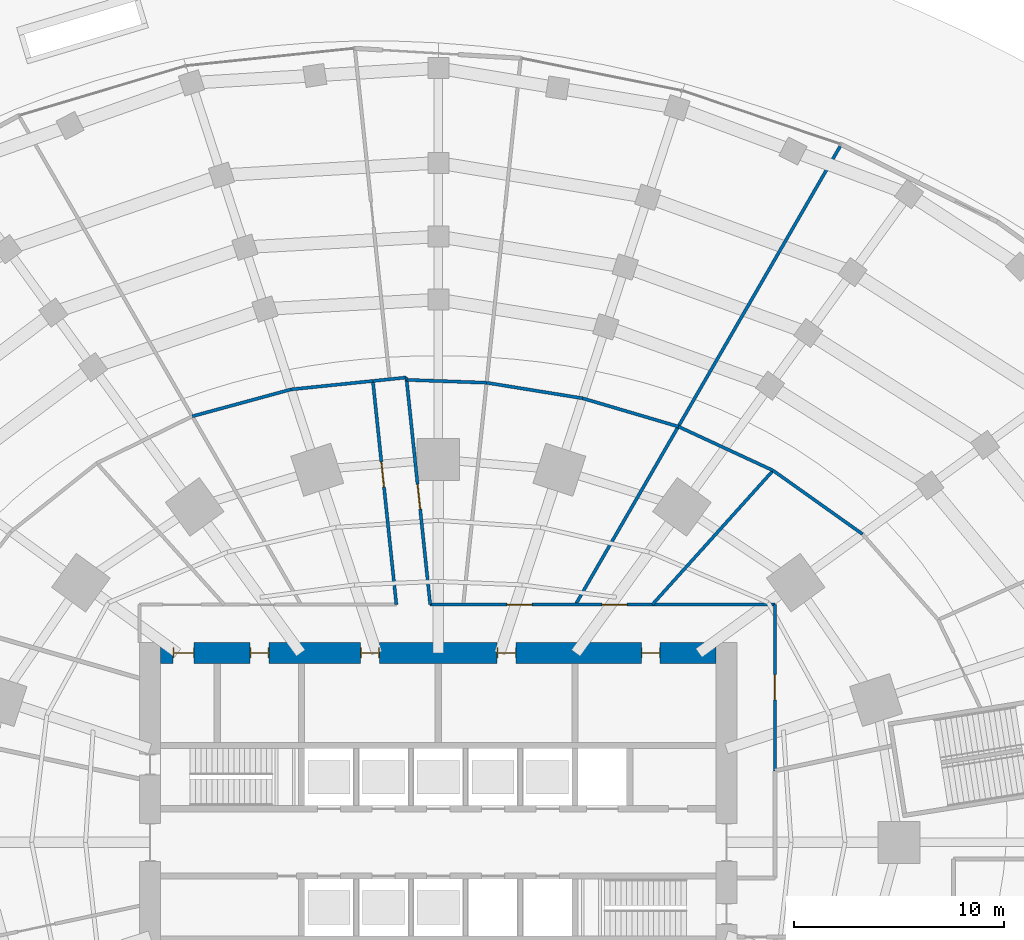
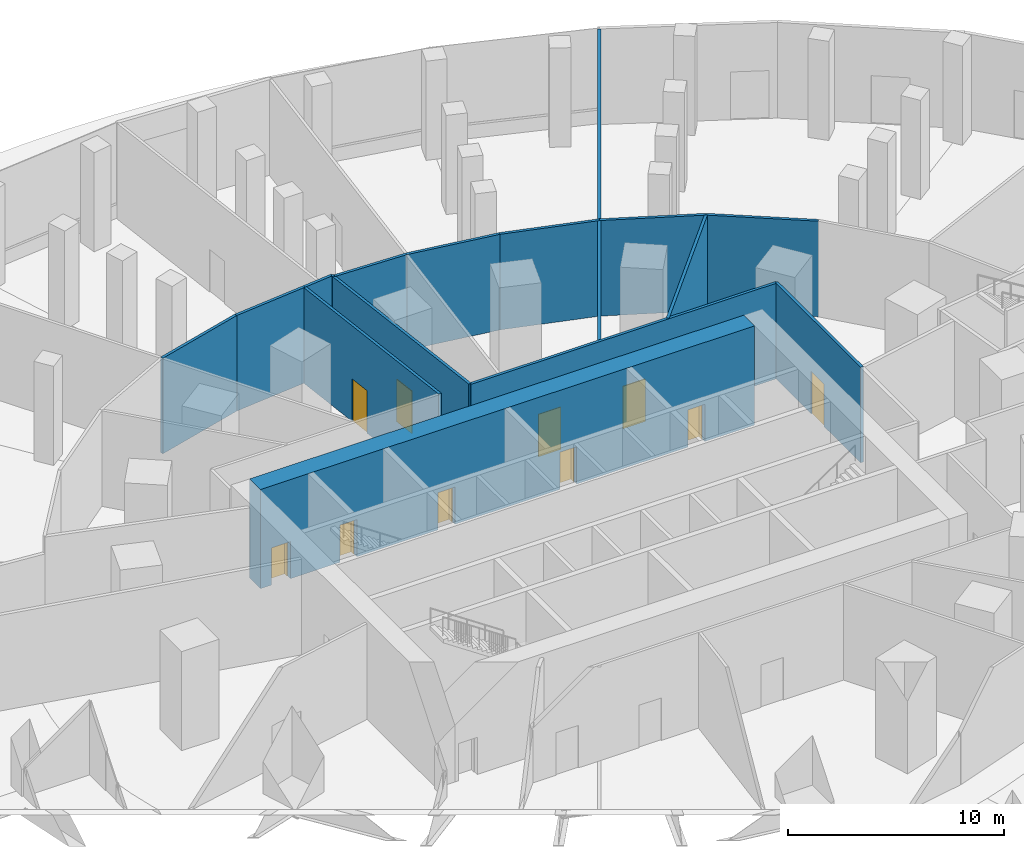
# One storey, part 18 of 23: 16 walls, 10 doors, 10 openings.
"""IFC4 building model written with IfcOpenShell, lengths in metres."""

import ifcopenshell
import ifcopenshell.guid

model = None  # the IFC model being written
_history = None  # IfcOwnerHistory: only IFC2X3 demands one
_inside = {}  # id of a spatial element -> (the spatial element, [elements in it])
_under = {}  # id of a project, library or spatial element -> (it, [spatial elements below it])
_declared = {}  # id of a project -> (the project, [libraries it declares])
_typed = {}  # id of a type object -> (the type object, [elements of that type])
_made_of = {}  # id of a material, layer set ... -> (it, [elements and type objects made of it])


def new_model(schema):
    """Start an empty IFC model of exactly this schema.

    Asked for "IFC4X3", IfcOpenShell would pick the latest addendum, in which some entities
    have other attributes; the version numbers below select the first issue.
    IFC2X3 requires an IfcOwnerHistory on every rooted entity: one is made here for all.
    """
    global model, _history
    if schema == "IFC4X3":
        model = ifcopenshell.file(schema_version=(4, 3, 0, 0))
    else:
        model = ifcopenshell.file(schema=schema)
    _inside.clear()
    _under.clear()
    _declared.clear()
    _typed.clear()
    _made_of.clear()
    _history = None
    if model.schema == "IFC2X3":
        org = make("IfcOrganization", Name="unknown")
        user = make(
            "IfcPersonAndOrganization",
            ThePerson=make("IfcPerson", FamilyName="unknown"),
            TheOrganization=org,
        )
        app = make(
            "IfcApplication",
            ApplicationDeveloper=org,
            Version="unknown",
            ApplicationFullName="unknown",
            ApplicationIdentifier="unknown",
        )
        _history = make(
            "IfcOwnerHistory",
            OwningUser=user,
            OwningApplication=app,
            ChangeAction="ADDED",
            CreationDate=0,
        )
    return model


def make(cls, **values):
    """One entity of the class cls with the attributes given. An attribute that is None is left unset."""
    return model.create_entity(
        cls, **{name: value for name, value in values.items() if value is not None}
    )


def rooted(cls, **values):
    """An entity with a GlobalId (a new one), such as an element, a storey or a relation."""
    return make(cls, GlobalId=ifcopenshell.guid.new(), OwnerHistory=_history, **values)


def si_unit(unit_type, name, prefix=None):
    """IfcSIUnit, for example si_unit("LENGTHUNIT", "METRE", prefix="MILLI")."""
    return make("IfcSIUnit", UnitType=unit_type, Prefix=prefix, Name=name)


def assignment(units):
    """IfcUnitAssignment: the units of a project."""
    return None if units is None else make("IfcUnitAssignment", Units=units)


def point(xyz):
    """IfcCartesianPoint."""
    return None if xyz is None else make("IfcCartesianPoint", Coordinates=xyz)


def direction(xyz):
    """IfcDirection."""
    return None if xyz is None else make("IfcDirection", DirectionRatios=xyz)


def frame(location, z_axis=None, x_axis=None):
    """IfcAxis2Placement3D, a coordinate frame: its origin and axes. An axis left out is left unset."""
    return make(
        "IfcAxis2Placement3D",
        Location=point(location),
        Axis=direction(z_axis),
        RefDirection=direction(x_axis),
    )


def frame_2d(location, x_axis=None):
    """IfcAxis2Placement2D, a coordinate frame in the plane: its origin and x axis."""
    return make(
        "IfcAxis2Placement2D", Location=point(location), RefDirection=direction(x_axis)
    )


def origin():
    """The frame at (0, 0, 0) with its axes left unset."""
    return frame((0.0, 0.0, 0.0))


def place(relative_to, where):
    """IfcLocalPlacement: puts the frame where relative to a parent placement (None: the world)."""
    return make(
        "IfcLocalPlacement", PlacementRelTo=relative_to, RelativePlacement=where
    )


def context(
    kind, dimensions, precision=None, world=None, true_north=None, identifier=None
):
    """IfcGeometricRepresentationContext, for example the 3D "Model" context."""
    return make(
        "IfcGeometricRepresentationContext",
        ContextIdentifier=identifier,
        ContextType=kind,
        CoordinateSpaceDimension=dimensions,
        Precision=precision,
        WorldCoordinateSystem=world,
        TrueNorth=true_north,
    )


def subcontext(parent, identifier, kind, view, scale=None):
    """IfcGeometricRepresentationSubContext, for example "Body" below "Model"."""
    return make(
        "IfcGeometricRepresentationSubContext",
        ContextIdentifier=identifier,
        ContextType=kind,
        ParentContext=parent,
        TargetScale=scale,
        TargetView=view,
    )


def project(units=None, contexts=None):
    """IfcProject with its units and contexts."""
    return rooted(
        "IfcProject",
        Name="project",
        RepresentationContexts=contexts,
        UnitsInContext=assignment(units),
    )


def spatial(cls, under=None, at=None, **own):
    """A site, building, storey or space (cls), placed at a placement, below another one or the project."""
    s = rooted(cls, ObjectPlacement=at, **own)
    if under is not None:
        _under.setdefault(under.id(), (under, []))[1].append(s)
    return s


def profile(cls, at=None, kind="AREA", **sizes):
    """A parametric profile (cls). Its sizes go by their IFC names, for example OverallWidth=200.0."""
    return make(cls, ProfileType=kind, Position=at, **sizes)


def rectangle(**sizes):
    """IfcRectangleProfileDef."""
    return profile("IfcRectangleProfileDef", **sizes)


def extrude(swept, where, along, depth):
    """IfcExtrudedAreaSolid: the profile swept, set in the frame where, extruded along a direction by depth."""
    return make(
        "IfcExtrudedAreaSolid",
        SweptArea=swept,
        Position=where,
        ExtrudedDirection=direction(along),
        Depth=depth,
    )


def shape(context_of_items, identifier, shape_type, items):
    """IfcShapeRepresentation: the items that make up one representation, for example the "Body"."""
    return make(
        "IfcShapeRepresentation",
        ContextOfItems=context_of_items,
        RepresentationIdentifier=identifier,
        RepresentationType=shape_type,
        Items=items,
    )


def material(Name=None, Category=None):
    """IfcMaterial."""
    return make("IfcMaterial", Name=Name, Category=Category)


def layer(
    of_material, thickness, ventilated=None, Name=None, Category=None, Priority=None
):
    """IfcMaterialLayer: one layer of a wall or slab, of a material (None: an air gap)."""
    return make(
        "IfcMaterialLayer",
        Material=of_material,
        LayerThickness=thickness,
        IsVentilated=ventilated,
        Name=Name,
        Category=Category,
        Priority=Priority,
    )


def layer_set(layers, Name=None):
    """IfcMaterialLayerSet."""
    return make("IfcMaterialLayerSet", MaterialLayers=layers, LayerSetName=Name)


def made_of(thing, what):
    """Note that an element or type object is made of a material, layer set ...; save() writes the relation."""
    if what is not None:
        _made_of.setdefault(what.id(), (what, []))[1].append(thing)
    return thing


def type_object(cls, material=None, **own):
    """A type object (cls), such as IfcWallType, which elements share."""
    return made_of(rooted(cls, **own), material)


def element(
    cls,
    number,
    at=None,
    inside=None,
    cuts=None,
    type_object=None,
    material=None,
    context=None,
    identifier="Body",
    shape_type=None,
    held_by="IfcProductDefinitionShape",
    body=None,
    shapes=None,
    **own,
):
    """One element of the class cls, such as IfcWall. Its Tag is "e" and its number.

    at: its placement. inside: the storey or other place that contains it. cuts: it is an
    opening in that element (IfcRelVoidsElement). A single representation is given by context,
    identifier, shape_type and body (its items); several are given by shapes. held_by: the class
    of the entity that holds the representations. save() writes the other relations.
    """
    e = rooted(cls, Tag="e%d" % number, ObjectPlacement=at, **own)
    if body is not None:
        shapes = [shape(context, identifier, shape_type, body)]
    if shapes is not None:
        e.Representation = make(held_by, Representations=shapes)
    if inside is not None:
        _inside.setdefault(inside.id(), (inside, []))[1].append(e)
    if cuts is not None:
        rooted(
            "IfcRelVoidsElement", RelatingBuildingElement=cuts, RelatedOpeningElement=e
        )
    if type_object is not None:
        _typed.setdefault(type_object.id(), (type_object, []))[1].append(e)
    return made_of(e, material)


def fill(opening, filler):
    """IfcRelFillsElement: the door or window that sits in an opening."""
    return rooted(
        "IfcRelFillsElement",
        RelatingOpeningElement=opening,
        RelatedBuildingElement=filler,
    )


def aggregate(whole, parts):
    """IfcRelAggregates: a whole, such as a stair, and the parts it consists of."""
    return rooted("IfcRelAggregates", RelatingObject=whole, RelatedObjects=parts)


def save(model, path):
    """Write the relations noted so far, then the file.

    IfcRelAggregates (storeys below a building ...), IfcRelContainedInSpatialStructure (elements
    in a storey), IfcRelDefinesByType, IfcRelAssociatesMaterial and IfcRelDeclares: one each for
    every whole, place, type object, material and project.
    """
    for whole, parts in _under.values():
        aggregate(whole, parts)
    for where, things in _inside.values():
        rooted(
            "IfcRelContainedInSpatialStructure",
            RelatedElements=things,
            RelatingStructure=where,
        )
    for kind, things in _typed.values():
        rooted("IfcRelDefinesByType", RelatedObjects=things, RelatingType=kind)
    for what, things in _made_of.values():
        rooted("IfcRelAssociatesMaterial", RelatedObjects=things, RelatingMaterial=what)
    for by, libraries in _declared.values():
        rooted("IfcRelDeclares", RelatingContext=by, RelatedDefinitions=libraries)
    model.write(path)


model = new_model("IFC4")

# Units and contexts
model_context = context("Model", 3, precision=1e-05, world=origin(), true_north=direction((0.0, 1.0)))
body_context = subcontext(model_context, "Body", "Model", "MODEL_VIEW")
ifc_project = project(units=[si_unit("LENGTHUNIT", "METRE"), si_unit("AREAUNIT", "SQUARE_METRE"), si_unit("VOLUMEUNIT", "CUBIC_METRE"), si_unit("PLANEANGLEUNIT", "RADIAN"), si_unit("MASSUNIT", "GRAM", prefix="KILO")], contexts=[model_context])

# Site, building, storey
site_placement = place(None, origin())
site = spatial("IfcSite", under=ifc_project, at=site_placement, CompositionType="ELEMENT")
building_placement = place(site_placement, origin())
building = spatial("IfcBuilding", under=site, at=building_placement, Name="Marramba Exchange Tower", CompositionType="ELEMENT")
storey_placement = place(building_placement, origin())
storey = spatial("IfcBuildingStorey", under=building, at=storey_placement, Name="L00", CompositionType="ELEMENT", Elevation=0.0)

# Wall, openings, doors
ifc_material_1 = material(Name="Concrete N50", Category="concrete")
ifc_layer_1 = layer(ifc_material_1, 1.0)
ifc_layer_set_1 = layer_set([ifc_layer_1], Name="Core wall 1000")
wall_type_1 = type_object("IfcWallType", Name="Core wall 1000", PredefinedType="SHEAR", material=ifc_layer_set_1)
wall_1_placement = place(storey_placement, frame((13.199951171875, 9.0, 0.0), z_axis=(0.0, 0.0, 1.0), x_axis=(-1.0, 0.0, 0.0)))
wall_1 = element("IfcWall", 1, at=wall_1_placement, inside=storey, type_object=wall_type_1, Name="Core wall N L00", PredefinedType="SHEAR", context=body_context, shape_type="SweptSolid", body=[
    extrude(rectangle(XDim=26.39990234375, YDim=1.0, at=frame_2d((13.199951171875, 0.0))), origin(), (0.0, 0.0, 1.0), 5.60009765625),
])
opening_1_placement = place(wall_1_placement, frame((2.64990234375, 0.0, 0.0)))
opening_1 = element("IfcOpeningElement", 2, at=opening_1_placement, cuts=wall_1, Name="Opening D5", PredefinedType="OPENING", context=body_context, shape_type="SweptSolid", body=[
    extrude(rectangle(XDim=0.89990234375, YDim=2.10009765625, at=frame_2d((0.449951171875, 1.050048828125))), frame((0.0, 0.510009765625, 0.0), z_axis=(0.0, -1.0, 0.0), x_axis=(1.0, 0.0, 0.0)), (0.0, 0.0, 1.0), 1.02001953125),
])
opening_2_placement = place(wall_1_placement, frame((9.5, 0.0, 0.0)))
opening_2 = element("IfcOpeningElement", 3, at=opening_2_placement, cuts=wall_1, Name="Opening D3", PredefinedType="OPENING", context=body_context, shape_type="SweptSolid", body=[
    extrude(rectangle(XDim=0.89990234375, YDim=2.10009765625, at=frame_2d((0.449951171875, 1.050048828125))), frame((0.0, 0.510009765625, 0.0), z_axis=(0.0, -1.0, 0.0), x_axis=(1.0, 0.0, 0.0)), (0.0, 0.0, 1.0), 1.02001953125),
])
opening_3_placement = place(wall_1_placement, frame((16.0, 0.0, 0.0)))
opening_3 = element("IfcOpeningElement", 4, at=opening_3_placement, cuts=wall_1, Name="Opening D3", PredefinedType="OPENING", context=body_context, shape_type="SweptSolid", body=[
    extrude(rectangle(XDim=0.89990234375, YDim=2.10009765625, at=frame_2d((0.449951171875, 1.050048828125))), frame((0.0, 0.510009765625, 0.0), z_axis=(0.0, -1.0, 0.0), x_axis=(1.0, 0.0, 0.0)), (0.0, 0.0, 1.0), 1.02001953125),
])
opening_4_placement = place(wall_1_placement, frame((21.25, 0.0, 0.0)))
opening_4 = element("IfcOpeningElement", 5, at=opening_4_placement, cuts=wall_1, Name="Opening D5", PredefinedType="OPENING", context=body_context, shape_type="SweptSolid", body=[
    extrude(rectangle(XDim=0.89990234375, YDim=2.10009765625, at=frame_2d((0.449951171875, 1.050048828125))), frame((0.0, 0.510009765625, 0.0), z_axis=(0.0, -1.0, 0.0), x_axis=(1.0, 0.0, 0.0)), (0.0, 0.0, 1.0), 1.02001953125),
])
opening_5_placement = place(wall_1_placement, frame((24.800048828125, 0.0, 0.0)))
opening_5 = element("IfcOpeningElement", 6, at=opening_5_placement, cuts=wall_1, Name="Opening D4", PredefinedType="OPENING", context=body_context, shape_type="SweptSolid", body=[
    extrude(rectangle(XDim=1.0, YDim=2.10009765625, at=frame_2d((0.5, 1.050048828125))), frame((0.0, 0.510009765625, 0.0), z_axis=(0.0, -1.0, 0.0), x_axis=(1.0, 0.0, 0.0)), (0.0, 0.0, 1.0), 1.02001953125),
])
ifc_material_2 = material(Name="Steel-framed door", Category="steel")
door_type_1 = type_object("IfcDoorType", Name="Accessible toilet door 1000x2100", OperationType="SINGLE_SWING_LEFT", PredefinedType="DOOR", material=ifc_material_2)
door_1_placement = place(opening_5_placement, origin())
door_1 = element("IfcDoor", 7, at=door_1_placement, inside=storey, type_object=door_type_1, Name="D4 awc L00", OperationType="SINGLE_SWING_RIGHT", OverallHeight=2.10009765625, OverallWidth=1.0, PredefinedType="DOOR", context=body_context, shape_type="SweptSolid", body=[
    extrude(rectangle(XDim=0.919921875, YDim=2.06005859375, at=frame_2d((0.5, 1.030029296875))), frame((0.0, 0.02490234375, 0.0), z_axis=(0.0, -1.0, 0.0), x_axis=(1.0, 0.0, 0.0)), (0.0, 0.0, 1.0), 0.050048828125),
    extrude(rectangle(XDim=0.04, YDim=2.10009765625, at=frame_2d((0.02001953125, 1.050048828125))), frame((0.0, 0.25, 0.0), z_axis=(0.0, -1.0, 0.0), x_axis=(1.0, 0.0, 0.0)), (0.0, 0.0, 1.0), 0.5),
    extrude(rectangle(XDim=0.04, YDim=2.10009765625, at=frame_2d((0.97998046875, 1.050048828125))), frame((0.0, 0.25, 0.0), z_axis=(0.0, -1.0, 0.0), x_axis=(1.0, 0.0, 0.0)), (0.0, 0.0, 1.0), 0.5),
    extrude(rectangle(XDim=0.919921875, YDim=0.04, at=frame_2d((0.5, 2.080078125))), frame((0.0, 0.25, 0.0), z_axis=(0.0, -1.0, 0.0), x_axis=(1.0, 0.0, 0.0)), (0.0, 0.0, 1.0), 0.5),
])
fill(opening_5, door_1)
door_type_2 = type_object("IfcDoorType", Name="Service door 900x2100", OperationType="SINGLE_SWING_LEFT", PredefinedType="DOOR", material=ifc_material_2)
door_2_placement = place(opening_1_placement, origin())
door_2 = element("IfcDoor", 8, at=door_2_placement, inside=storey, type_object=door_type_2, Name="D5 comms L00", OperationType="SINGLE_SWING_LEFT", OverallHeight=2.10009765625, OverallWidth=0.89990234375, PredefinedType="DOOR", context=body_context, shape_type="SweptSolid", body=[
    extrude(rectangle(XDim=0.81982421875, YDim=2.06005859375, at=frame_2d((0.449951171875, 1.030029296875))), frame((0.0, 0.02490234375, 0.0), z_axis=(0.0, -1.0, 0.0), x_axis=(1.0, 0.0, 0.0)), (0.0, 0.0, 1.0), 0.050048828125),
    extrude(rectangle(XDim=0.04, YDim=2.10009765625, at=frame_2d((0.02001953125, 1.050048828125))), frame((0.0, 0.25, 0.0), z_axis=(0.0, -1.0, 0.0), x_axis=(1.0, 0.0, 0.0)), (0.0, 0.0, 1.0), 0.5),
    extrude(rectangle(XDim=0.04, YDim=2.10009765625, at=frame_2d((0.8798828125, 1.050048828125))), frame((0.0, 0.25, 0.0), z_axis=(0.0, -1.0, 0.0), x_axis=(1.0, 0.0, 0.0)), (0.0, 0.0, 1.0), 0.5),
    extrude(rectangle(XDim=0.81982421875, YDim=0.04, at=frame_2d((0.449951171875, 2.080078125))), frame((0.0, 0.25, 0.0), z_axis=(0.0, -1.0, 0.0), x_axis=(1.0, 0.0, 0.0)), (0.0, 0.0, 1.0), 0.5),
])
fill(opening_1, door_2)
door_3_placement = place(opening_4_placement, origin())
door_3 = element("IfcDoor", 9, at=door_3_placement, inside=storey, type_object=door_type_2, Name="D5 cleaner L00", OperationType="SINGLE_SWING_RIGHT", OverallHeight=2.10009765625, OverallWidth=0.89990234375, PredefinedType="DOOR", context=body_context, shape_type="SweptSolid", body=[
    extrude(rectangle(XDim=0.81982421875, YDim=2.06005859375, at=frame_2d((0.449951171875, 1.030029296875))), frame((0.0, 0.02490234375, 0.0), z_axis=(0.0, -1.0, 0.0), x_axis=(1.0, 0.0, 0.0)), (0.0, 0.0, 1.0), 0.050048828125),
    extrude(rectangle(XDim=0.04, YDim=2.10009765625, at=frame_2d((0.02001953125, 1.050048828125))), frame((0.0, 0.25, 0.0), z_axis=(0.0, -1.0, 0.0), x_axis=(1.0, 0.0, 0.0)), (0.0, 0.0, 1.0), 0.5),
    extrude(rectangle(XDim=0.04, YDim=2.10009765625, at=frame_2d((0.8798828125, 1.050048828125))), frame((0.0, 0.25, 0.0), z_axis=(0.0, -1.0, 0.0), x_axis=(1.0, 0.0, 0.0)), (0.0, 0.0, 1.0), 0.5),
    extrude(rectangle(XDim=0.81982421875, YDim=0.04, at=frame_2d((0.449951171875, 2.080078125))), frame((0.0, 0.25, 0.0), z_axis=(0.0, -1.0, 0.0), x_axis=(1.0, 0.0, 0.0)), (0.0, 0.0, 1.0), 0.5),
])
fill(opening_4, door_3)
door_type_3 = type_object("IfcDoorType", Name="Toilet door 900x2100", OperationType="SINGLE_SWING_LEFT", PredefinedType="DOOR", material=ifc_material_2)
door_4_placement = place(opening_2_placement, origin())
door_4 = element("IfcDoor", 10, at=door_4_placement, inside=storey, type_object=door_type_3, Name="D3 wc-f L00", OperationType="SINGLE_SWING_RIGHT", OverallHeight=2.10009765625, OverallWidth=0.89990234375, PredefinedType="DOOR", context=body_context, shape_type="SweptSolid", body=[
    extrude(rectangle(XDim=0.81982421875, YDim=2.06005859375, at=frame_2d((0.449951171875, 1.030029296875))), frame((0.0, 0.02490234375, 0.0), z_axis=(0.0, -1.0, 0.0), x_axis=(1.0, 0.0, 0.0)), (0.0, 0.0, 1.0), 0.050048828125),
    extrude(rectangle(XDim=0.04, YDim=2.10009765625, at=frame_2d((0.02001953125, 1.050048828125))), frame((0.0, 0.25, 0.0), z_axis=(0.0, -1.0, 0.0), x_axis=(1.0, 0.0, 0.0)), (0.0, 0.0, 1.0), 0.5),
    extrude(rectangle(XDim=0.04, YDim=2.10009765625, at=frame_2d((0.8798828125, 1.050048828125))), frame((0.0, 0.25, 0.0), z_axis=(0.0, -1.0, 0.0), x_axis=(1.0, 0.0, 0.0)), (0.0, 0.0, 1.0), 0.5),
    extrude(rectangle(XDim=0.81982421875, YDim=0.04, at=frame_2d((0.449951171875, 2.080078125))), frame((0.0, 0.25, 0.0), z_axis=(0.0, -1.0, 0.0), x_axis=(1.0, 0.0, 0.0)), (0.0, 0.0, 1.0), 0.5),
])
fill(opening_2, door_4)
door_5_placement = place(opening_3_placement, origin())
door_5 = element("IfcDoor", 11, at=door_5_placement, inside=storey, type_object=door_type_3, Name="D3 wc-m L00", OperationType="SINGLE_SWING_RIGHT", OverallHeight=2.10009765625, OverallWidth=0.89990234375, PredefinedType="DOOR", context=body_context, shape_type="SweptSolid", body=[
    extrude(rectangle(XDim=0.81982421875, YDim=2.06005859375, at=frame_2d((0.449951171875, 1.030029296875))), frame((0.0, 0.02490234375, 0.0), z_axis=(0.0, -1.0, 0.0), x_axis=(1.0, 0.0, 0.0)), (0.0, 0.0, 1.0), 0.050048828125),
    extrude(rectangle(XDim=0.04, YDim=2.10009765625, at=frame_2d((0.02001953125, 1.050048828125))), frame((0.0, 0.25, 0.0), z_axis=(0.0, -1.0, 0.0), x_axis=(1.0, 0.0, 0.0)), (0.0, 0.0, 1.0), 0.5),
    extrude(rectangle(XDim=0.04, YDim=2.10009765625, at=frame_2d((0.8798828125, 1.050048828125))), frame((0.0, 0.25, 0.0), z_axis=(0.0, -1.0, 0.0), x_axis=(1.0, 0.0, 0.0)), (0.0, 0.0, 1.0), 0.5),
    extrude(rectangle(XDim=0.81982421875, YDim=0.04, at=frame_2d((0.449951171875, 2.080078125))), frame((0.0, 0.25, 0.0), z_axis=(0.0, -1.0, 0.0), x_axis=(1.0, 0.0, 0.0)), (0.0, 0.0, 1.0), 0.5),
])
fill(opening_3, door_5)

# Wall, opening, door
ifc_material_3 = material(Name="Fire-rated plasterboard on steel studs, acoustic insulation", Category="steel")
ifc_layer_2 = layer(ifc_material_3, 0.14990234375)
ifc_layer_set_2 = layer_set([ifc_layer_2], Name="Tenancy wall 150")
wall_type_2 = type_object("IfcWallType", Name="Tenancy wall 150", PredefinedType="PARTITIONING", material=ifc_layer_set_2)
wall_2_placement = place(storey_placement, frame((16.0, 3.40087890625, 0.0), z_axis=(0.0, 0.0, 1.0), x_axis=(0.0, 1.0, 0.0)))
wall_2 = element("IfcWall", 12, at=wall_2_placement, inside=storey, type_object=wall_type_2, Name="Tenancy wall L00 48", PredefinedType="PARTITIONING", context=body_context, shape_type="SweptSolid", body=[
    extrude(rectangle(XDim=7.899169921875, YDim=0.14990234375, at=frame_2d((3.94970703125, 0.0))), origin(), (0.0, 0.0, 1.0), 5.39990234375),
])
opening_6_placement = place(wall_2_placement, frame((3.375, 0.0, 0.0)))
opening_6 = element("IfcOpeningElement", 13, at=opening_6_placement, cuts=wall_2, Name="Opening D13", PredefinedType="OPENING", context=body_context, shape_type="SweptSolid", body=[
    extrude(rectangle(XDim=1.199951171875, YDim=2.39990234375, at=frame_2d((0.60009765625, 1.199951171875))), frame((0.0, 0.0849609375, 0.0), z_axis=(0.0, -1.0, 0.0), x_axis=(1.0, 0.0, 0.0)), (0.0, 0.0, 1.0), 0.169921875),
])
door_type_4 = type_object("IfcDoorType", Name="Tenancy entry door 1200x2400", OperationType="SINGLE_SWING_LEFT", PredefinedType="DOOR", material=ifc_material_2)
door_6_placement = place(opening_6_placement, origin())
door_6 = element("IfcDoor", 14, at=door_6_placement, inside=storey, type_object=door_type_4, Name="D13 Members' Reception L00", OperationType="SINGLE_SWING_RIGHT", OverallHeight=2.39990234375, OverallWidth=1.199951171875, PredefinedType="DOOR", context=body_context, shape_type="SweptSolid", body=[
    extrude(rectangle(XDim=1.199951171875, YDim=2.39990234375, at=frame_2d((0.60009765625, 1.199951171875))), frame((0.0, 0.02490234375, 0.0), z_axis=(0.0, -1.0, 0.0), x_axis=(1.0, 0.0, 0.0)), (0.0, 0.0, 1.0), 0.050048828125),
])
fill(opening_6, door_6)

# Walls
wall_3_placement = place(storey_placement, frame((20.1640625, 14.64990234375, 0.0), z_axis=(0.0, 0.0, 1.0), x_axis=(-0.81494599189, 0.579536910215, 0.0)))
element("IfcWall", 15, at=wall_3_placement, inside=storey, type_object=wall_type_2, Name="Tenancy wall L00 50", PredefinedType="PARTITIONING", context=body_context, shape_type="SweptSolid", body=[
    extrude(rectangle(XDim=5.216552734375, YDim=0.14990234375, at=frame_2d((2.6083984375, 0.0))), origin(), (0.0, 0.0, 1.0), 5.39990234375),
])
wall_4_placement = place(storey_placement, frame((10.174560546875, 11.300048828125, 0.0), z_axis=(0.0, 0.0, 1.0), x_axis=(0.669128292476, 0.7431469089, 0.0)))
element("IfcWall", 16, at=wall_4_placement, inside=storey, type_object=wall_type_2, Name="Tenancy wall L00 51", PredefinedType="PARTITIONING", context=body_context, shape_type="SweptSolid", body=[
    extrude(rectangle(XDim=8.57568359375, YDim=0.14990234375, at=frame_2d((4.287841796875, 0.0))), origin(), (0.0, 0.0, 1.0), 5.39990234375),
])
wall_5_placement = place(storey_placement, frame((15.912841796875, 17.673095703125, 0.0), z_axis=(0.0, 0.0, 1.0), x_axis=(-0.907108234971, 0.420897434119, 0.0)))
element("IfcWall", 17, at=wall_5_placement, inside=storey, type_object=wall_type_2, Name="Tenancy wall L00 52", PredefinedType="PARTITIONING", context=body_context, shape_type="SweptSolid", body=[
    extrude(rectangle(XDim=4.964111328125, YDim=0.14990234375, at=frame_2d((2.48193359375, 0.0))), origin(), (0.0, 0.0, 1.0), 5.39990234375),
])

# Wall, openings, doors
wall_6_placement = place(storey_placement, frame((16.0, 11.300048828125, 0.0), z_axis=(0.0, 0.0, 1.0), x_axis=(-1.0, 0.0, 0.0)))
wall_6 = element("IfcWall", 18, at=wall_6_placement, inside=storey, type_object=wall_type_2, Name="Tenancy wall L00 53", PredefinedType="PARTITIONING", context=body_context, shape_type="SweptSolid", body=[
    extrude(rectangle(XDim=16.38330078125, YDim=0.14990234375, at=frame_2d((8.191650390625, 0.0))), origin(), (0.0, 0.0, 1.0), 5.39990234375),
])
opening_7_placement = place(wall_6_placement, frame((7.02587890625, 0.0, 0.0)))
opening_7 = element("IfcOpeningElement", 19, at=opening_7_placement, cuts=wall_6, Name="Opening D13", PredefinedType="OPENING", context=body_context, shape_type="SweptSolid", body=[
    extrude(rectangle(XDim=1.199951171875, YDim=2.39990234375, at=frame_2d((0.60009765625, 1.199951171875))), frame((0.0, 0.0849609375, 0.0), z_axis=(0.0, -1.0, 0.0), x_axis=(1.0, 0.0, 0.0)), (0.0, 0.0, 1.0), 0.169921875),
])
opening_8_placement = place(wall_6_placement, frame((11.5439453125, 0.0, 0.0)))
opening_8 = element("IfcOpeningElement", 20, at=opening_8_placement, cuts=wall_6, Name="Opening D13", PredefinedType="OPENING", context=body_context, shape_type="SweptSolid", body=[
    extrude(rectangle(XDim=1.199951171875, YDim=2.39990234375, at=frame_2d((0.60009765625, 1.199951171875))), frame((0.0, 0.0849609375, 0.0), z_axis=(0.0, -1.0, 0.0), x_axis=(1.0, 0.0, 0.0)), (0.0, 0.0, 1.0), 0.169921875),
])
door_7_placement = place(opening_7_placement, frame((1.199951171875, 0.0, 0.0), z_axis=(0.0, 0.0, 1.0), x_axis=(-1.0, 0.0, 0.0)))
door_7 = element("IfcDoor", 21, at=door_7_placement, inside=storey, type_object=door_type_4, Name="D13 Waste Room L00", OperationType="SINGLE_SWING_LEFT", OverallHeight=2.39990234375, OverallWidth=1.199951171875, PredefinedType="DOOR", context=body_context, shape_type="SweptSolid", body=[
    extrude(rectangle(XDim=1.199951171875, YDim=2.39990234375, at=frame_2d((0.599853515625, 1.199951171875))), frame((0.0, 0.025146484375, 0.0), z_axis=(0.0, -1.0, 0.0), x_axis=(1.0, 0.0, 0.0)), (0.0, 0.0, 1.0), 0.050048828125),
])
fill(opening_7, door_7)
door_8_placement = place(opening_8_placement, origin())
door_8 = element("IfcDoor", 22, at=door_8_placement, inside=storey, type_object=door_type_4, Name="D13 Mail Room L00", OperationType="SINGLE_SWING_LEFT", OverallHeight=2.39990234375, OverallWidth=1.199951171875, PredefinedType="DOOR", context=body_context, shape_type="SweptSolid", body=[
    extrude(rectangle(XDim=1.199951171875, YDim=2.39990234375, at=frame_2d((0.60009765625, 1.199951171875))), frame((0.0, 0.02490234375, 0.0), z_axis=(0.0, -1.0, 0.0), x_axis=(1.0, 0.0, 0.0)), (0.0, 0.0, 1.0), 0.050048828125),
])
fill(opening_8, door_8)

# Walls
wall_7_placement = place(storey_placement, frame((6.524169921875, 11.300048828125, 0.0), z_axis=(0.0, 0.0, 1.0), x_axis=(0.499998368249, 0.866026345874, 0.0)))
element("IfcWall", 23, at=wall_7_placement, inside=storey, type_object=wall_type_2, Name="Tenancy wall L00 54", PredefinedType="PARTITIONING", context=body_context, shape_type="SweptSolid", body=[
    extrude(rectangle(XDim=25.173828125, YDim=0.14990234375, at=frame_2d((12.5869140625, 0.0))), origin(), (0.0, 0.0, 1.0), 5.39990234375),
])
wall_8_placement = place(storey_placement, frame((11.409912109375, 19.762451171875, 0.0), z_axis=(0.0, 0.0, 1.0), x_axis=(-0.959084076189, 0.283121413534, 0.0)))
element("IfcWall", 24, at=wall_8_placement, inside=storey, type_object=wall_type_2, Name="Tenancy wall L00 55", PredefinedType="PARTITIONING", context=body_context, shape_type="SweptSolid", body=[
    extrude(rectangle(XDim=4.74609375, YDim=0.14990234375, at=frame_2d((2.373046875, 0.0))), origin(), (0.0, 0.0, 1.0), 5.39990234375),
])
wall_9_placement = place(storey_placement, frame((6.85791015625, 21.106201171875, 0.0), z_axis=(0.0, 0.0, 1.0), x_axis=(-0.98714853178, 0.159805432336, 0.0)))
element("IfcWall", 25, at=wall_9_placement, inside=storey, type_object=wall_type_2, Name="Tenancy wall L00 56", PredefinedType="PARTITIONING", context=body_context, shape_type="SweptSolid", body=[
    extrude(rectangle(XDim=4.621337890625, YDim=0.14990234375, at=frame_2d((2.310546875, 0.0))), origin(), (0.0, 0.0, 1.0), 5.39990234375),
])
wall_10_placement = place(storey_placement, frame((2.2958984375, 21.8447265625, 0.0), z_axis=(0.0, 0.0, 1.0), x_axis=(-0.999349376357, 0.036066937421, 0.0)))
element("IfcWall", 26, at=wall_10_placement, inside=storey, type_object=wall_type_2, Name="Tenancy wall L00 58", PredefinedType="PARTITIONING", context=body_context, shape_type="SweptSolid", body=[
    extrude(rectangle(XDim=3.80419921875, YDim=0.14990234375, at=frame_2d((1.902099609375, 0.0))), origin(), (0.0, 0.0, 1.0), 5.39990234375),
])

# Wall, opening, door
wall_11_placement = place(storey_placement, frame((-0.38330078125, 11.300048828125, 0.0), z_axis=(0.0, 0.0, 1.0), x_axis=(-0.104514398363, 0.994523373549, 0.0)))
wall_11 = element("IfcWall", 27, at=wall_11_placement, inside=storey, type_object=wall_type_2, Name="Tenancy wall L00 59", PredefinedType="PARTITIONING", context=body_context, shape_type="SweptSolid", body=[
    extrude(rectangle(XDim=10.74072265625, YDim=0.14990234375, at=frame_2d((5.370361328125, 0.0))), origin(), (0.0, 0.0, 1.0), 5.39990234375),
])
opening_9_placement = place(wall_11_placement, frame((4.552001953125, 0.0, 0.0)))
opening_9 = element("IfcOpeningElement", 28, at=opening_9_placement, cuts=wall_11, Name="Opening D13", PredefinedType="OPENING", context=body_context, shape_type="SweptSolid", body=[
    extrude(rectangle(XDim=1.199951171875, YDim=2.39990234375, at=frame_2d((0.60009765625, 1.199951171875))), frame((0.0, 0.0849609375, 0.0), z_axis=(0.0, -1.0, 0.0), x_axis=(1.0, 0.0, 0.0)), (0.0, 0.0, 1.0), 0.169921875),
])
door_9_placement = place(opening_9_placement, frame((1.199951171875, 0.0, 0.0), z_axis=(0.0, 0.0, 1.0), x_axis=(-1.0, 0.0, 0.0)))
door_9 = element("IfcDoor", 29, at=door_9_placement, inside=storey, type_object=door_type_4, Name="D13 Goods Receiving Room L00", OperationType="SINGLE_SWING_RIGHT", OverallHeight=2.39990234375, OverallWidth=1.199951171875, PredefinedType="DOOR", context=body_context, shape_type="SweptSolid", body=[
    extrude(rectangle(XDim=1.199951171875, YDim=2.39990234375, at=frame_2d((0.599853515625, 1.199951171875))), frame((0.0, 0.025146484375, 0.0), z_axis=(0.0, -1.0, 0.0), x_axis=(1.0, 0.0, 0.0)), (0.0, 0.0, 1.0), 0.050048828125),
])
fill(opening_9, door_9)

# Walls
wall_12_placement = place(storey_placement, frame((-1.505859375, 21.98193359375, 0.0), z_axis=(0.0, 0.0, 1.0), x_axis=(-0.105469062013, 0.994422584698, 0.0)))
element("IfcWall", 30, at=wall_12_placement, inside=storey, type_object=wall_type_2, Name="Tenancy wall L00 60", PredefinedType="PARTITIONING", context=body_context, shape_type="SweptSolid", body=[
    extrude(rectangle(XDim=0.113525390625, YDim=0.14990234375, at=frame_2d((0.056640625, 0.0))), origin(), (0.0, 0.0, 1.0), 5.39990234375),
])
wall_13_placement = place(storey_placement, frame((-1.517822265625, 22.0947265625, 0.0), z_axis=(0.0, 0.0, 1.0), x_axis=(-0.994522996201, -0.104517989015, 0.0)))
element("IfcWall", 31, at=wall_13_placement, inside=storey, type_object=wall_type_2, Name="Tenancy wall L00 61", PredefinedType="PARTITIONING", context=body_context, shape_type="SweptSolid", body=[
    extrude(rectangle(XDim=1.60009765625, YDim=0.14990234375, at=frame_2d((0.800048828125, 0.0))), origin(), (0.0, 0.0, 1.0), 5.39990234375),
])

# Wall, opening, door
wall_14_placement = place(storey_placement, frame((-3.109130859375, 21.927490234375, 0.0), z_axis=(0.0, 0.0, 1.0), x_axis=(0.104524229431, -0.994522340353, 0.0)))
wall_14 = element("IfcWall", 32, at=wall_14_placement, inside=storey, type_object=wall_type_2, Name="Tenancy wall L00 63", PredefinedType="PARTITIONING", context=body_context, shape_type="SweptSolid", body=[
    extrude(rectangle(XDim=10.68603515625, YDim=0.14990234375, at=frame_2d((5.343017578125, 0.0))), origin(), (0.0, 0.0, 1.0), 5.39990234375),
])
opening_10_placement = place(wall_14_placement, frame((3.864013671875, 0.0, 0.0)))
opening_10 = element("IfcOpeningElement", 33, at=opening_10_placement, cuts=wall_14, Name="Opening D13", PredefinedType="OPENING", context=body_context, shape_type="SweptSolid", body=[
    extrude(rectangle(XDim=1.199951171875, YDim=2.39990234375, at=frame_2d((0.60009765625, 1.199951171875))), frame((0.0, 0.0849609375, 0.0), z_axis=(0.0, -1.0, 0.0), x_axis=(1.0, 0.0, 0.0)), (0.0, 0.0, 1.0), 0.169921875),
])
door_10_placement = place(opening_10_placement, origin())
door_10 = element("IfcDoor", 34, at=door_10_placement, inside=storey, type_object=door_type_4, Name="D13 Courier Office L00", OperationType="SINGLE_SWING_LEFT", OverallHeight=2.39990234375, OverallWidth=1.199951171875, PredefinedType="DOOR", context=body_context, shape_type="SweptSolid", body=[
    extrude(rectangle(XDim=1.199951171875, YDim=2.39990234375, at=frame_2d((0.60009765625, 1.199951171875))), frame((0.0, 0.02490234375, 0.0), z_axis=(0.0, -1.0, 0.0), x_axis=(1.0, 0.0, 0.0)), (0.0, 0.0, 1.0), 0.050048828125),
])
fill(opening_10, door_10)

# Walls
wall_15_placement = place(storey_placement, frame((-3.109375, 21.928955078125, 0.0), z_axis=(0.0, 0.0, 1.0), x_axis=(-0.994719772575, -0.102628329662, 0.0)))
element("IfcWall", 35, at=wall_15_placement, inside=storey, type_object=wall_type_2, Name="Tenancy wall L00 64", PredefinedType="PARTITIONING", context=body_context, shape_type="SweptSolid", body=[
    extrude(rectangle(XDim=3.906005859375, YDim=0.14990234375, at=frame_2d((1.953125, 0.0))), origin(), (0.0, 0.0, 1.0), 5.39990234375),
])
wall_16_placement = place(storey_placement, frame((-6.994873046875, 21.528076171875, 0.0), z_axis=(0.0, 0.0, 1.0), x_axis=(-0.964877176163, -0.26270141781, 0.0)))
element("IfcWall", 36, at=wall_16_placement, inside=storey, type_object=wall_type_2, Name="Tenancy wall L00 65", PredefinedType="PARTITIONING", context=body_context, shape_type="SweptSolid", body=[
    extrude(rectangle(XDim=4.866943359375, YDim=0.14990234375, at=frame_2d((2.43359375, 0.0))), origin(), (0.0, 0.0, 1.0), 5.39990234375),
])

save(model, "model.ifc")
